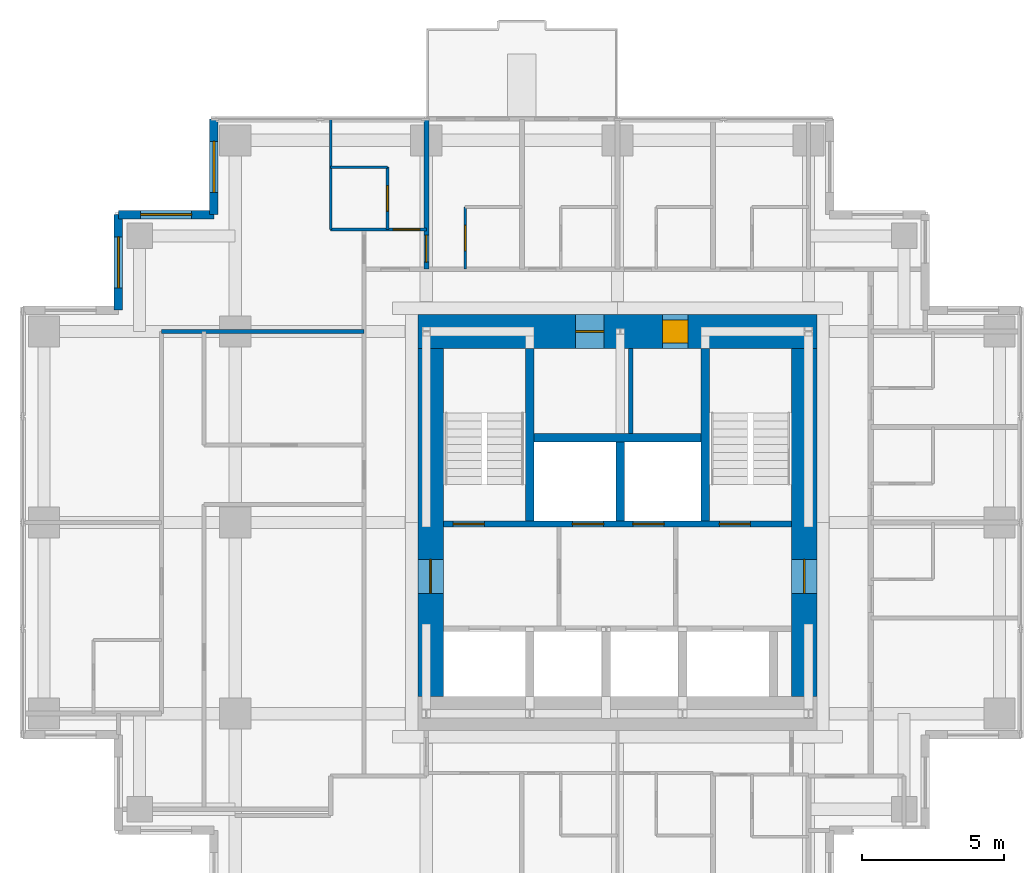
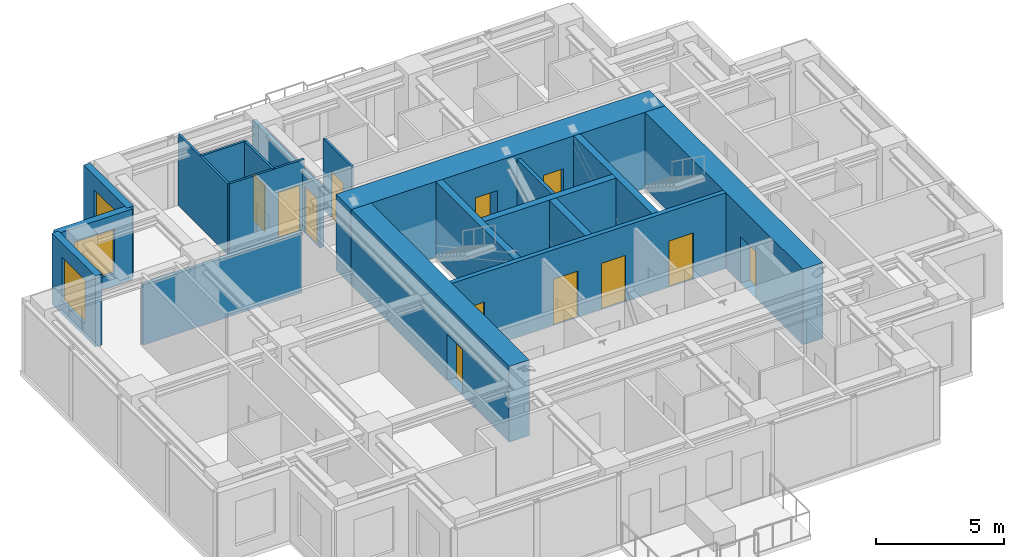
# One storey, part 5 of 8: 19 walls, 12 doors, 3 windows, 15 openings.
"""IFC4 building model written with IfcOpenShell, lengths in metres."""

from ifc_helpers import new_model, si_unit, direction, frame, frame_2d, origin, place, context, subcontext, project, spatial, rectangle, extrude, material, layer, layer_set, type_object, element, fill, save


model = new_model("IFC4")

# Units and contexts
model_context = context("Model", 3, precision=1e-05, world=origin(), true_north=direction((0.0, 1.0)))
body_context = subcontext(model_context, "Body", "Model", "MODEL_VIEW")
ifc_project = project(units=[si_unit("LENGTHUNIT", "METRE"), si_unit("AREAUNIT", "SQUARE_METRE"), si_unit("VOLUMEUNIT", "CUBIC_METRE"), si_unit("PLANEANGLEUNIT", "RADIAN"), si_unit("MASSUNIT", "GRAM", prefix="KILO")], contexts=[model_context])

# Site, building, storey
site_placement = place(None, origin())
site = spatial("IfcSite", under=ifc_project, at=site_placement, CompositionType="ELEMENT")
building_placement = place(site_placement, origin())
building = spatial("IfcBuilding", under=site, at=building_placement, Name="Nyansa Garden Tower", CompositionType="ELEMENT")
storey_placement = place(building_placement, frame((0.0, 0.0, 211.5)))
storey = spatial("IfcBuildingStorey", under=building, at=storey_placement, Name="L57", CompositionType="ELEMENT", Elevation=211.5)

# Wall, opening, door
ifc_material_1 = material(Name="Dense blockwork, plastered both sides, 55 dB", Category="masonry")
ifc_layer_1 = layer(ifc_material_1, 0.175048828125)
ifc_layer_set_1 = layer_set([ifc_layer_1], Name="Acoustic party wall PW175")
wall_type_1 = type_object("IfcWallType", Name="Acoustic party wall PW175", PredefinedType="PARTITIONING", material=ifc_layer_set_1)
wall_1_placement = place(storey_placement, frame((13.5, 29.199951171875, 0.0), z_axis=(0.0, 0.0, 1.0), x_axis=(0.0, 1.0, 0.0)))
wall_1 = element("IfcWall", 1, at=wall_1_placement, inside=storey, type_object=wall_type_1, Name="Party wall", PredefinedType="PARTITIONING", context=body_context, shape_type="SweptSolid", body=[
    extrude(rectangle(XDim=5.283935546875, YDim=0.175048828125, at=frame_2d((2.64208984375, 0.0))), origin(), (0.0, 0.0, 1.0), 2.876953125),
])
opening_1_placement = place(wall_1_placement, frame((0.25, 0.0, 0.0)))
opening_1 = element("IfcOpeningElement", 2, at=opening_1_placement, cuts=wall_1, Name="Opening D14", PredefinedType="OPENING", context=body_context, shape_type="SweptSolid", body=[
    extrude(rectangle(XDim=0.949951171875, YDim=2.199951171875, at=frame_2d((0.47509765625, 1.10009765625))), frame((0.0, 0.097412109375, 0.0), z_axis=(0.0, -1.0, 0.0), x_axis=(1.0, 0.0, 0.0)), (0.0, 0.0, 1.0), 0.195068359375),
])
ifc_material_2 = material(Name="Timber flush door, 60 minute fire resisting, self-closing", Category="wood")
door_type_1 = type_object("IfcDoorType", Name="Studio entrance door D14 950x2200", OperationType="SINGLE_SWING_LEFT", PredefinedType="DOOR", material=ifc_material_2)
door_1_placement = place(opening_1_placement, origin())
door_1 = element("IfcDoor", 3, at=door_1_placement, inside=storey, type_object=door_type_1, Name="Door L57-037", OperationType="SINGLE_SWING_LEFT", OverallHeight=2.199951171875, OverallWidth=0.949951171875, PredefinedType="DOOR", context=body_context, shape_type="SweptSolid", body=[
    extrude(rectangle(XDim=0.949951171875, YDim=2.199951171875, at=frame_2d((0.47509765625, 1.10009765625))), frame((0.0, 0.02490234375, 0.0), z_axis=(0.0, -1.0, 0.0), x_axis=(1.0, 0.0, 0.0)), (0.0, 0.0, 1.0), 0.050048828125),
])
fill(opening_1, door_1)

# Wall, openings, doors
ifc_material_3 = material(Name="Concrete C70/85", Category="concrete")
ifc_layer_2 = layer(ifc_material_3, 0.199951171875)
ifc_layer_set_2 = layer_set([ifc_layer_2], Name="Core inner wall CI200")
wall_type_2 = type_object("IfcWallType", Name="Core inner wall CI200", PredefinedType="SHEAR", material=ifc_layer_set_2)
wall_2_placement = place(storey_placement, frame((14.10009765625, 20.199951171875, 0.0), z_axis=(0.0, 0.0, 1.0), x_axis=(1.0, 0.0, 0.0)))
wall_2 = element("IfcWall", 4, at=wall_2_placement, inside=storey, type_object=wall_type_2, Name="Core inner wall L57", PredefinedType="SHEAR", context=body_context, shape_type="SweptSolid", body=[
    extrude(rectangle(XDim=12.2998046875, YDim=0.199951171875, at=frame_2d((6.14990234375, 0.0))), origin(), (0.0, 0.0, 1.0), 3.60009765625),
])
opening_2_placement = place(wall_2_placement, frame((4.56005859375, 0.0, 0.0)))
opening_2 = element("IfcOpeningElement", 5, at=opening_2_placement, cuts=wall_2, Name="Opening LD-B", PredefinedType="OPENING", context=body_context, shape_type="SweptSolid", body=[
    extrude(rectangle(XDim=1.10009765625, YDim=2.199951171875, at=frame_2d((0.550048828125, 1.10009765625))), frame((0.0, 0.10986328125, 0.0), z_axis=(0.0, -1.0, 0.0), x_axis=(1.0, 0.0, 0.0)), (0.0, 0.0, 1.0), 0.219970703125),
])
opening_3_placement = place(wall_2_placement, frame((6.699951171875, 0.0, 0.0)))
opening_3 = element("IfcOpeningElement", 6, at=opening_3_placement, cuts=wall_2, Name="Opening LD-B", PredefinedType="OPENING", context=body_context, shape_type="SweptSolid", body=[
    extrude(rectangle(XDim=1.10009765625, YDim=2.199951171875, at=frame_2d((0.550048828125, 1.10009765625))), frame((0.0, 0.10986328125, 0.0), z_axis=(0.0, -1.0, 0.0), x_axis=(1.0, 0.0, 0.0)), (0.0, 0.0, 1.0), 0.219970703125),
])
opening_4_placement = place(wall_2_placement, frame((0.35009765625, 0.0, 0.0)))
opening_4 = element("IfcOpeningElement", 7, at=opening_4_placement, cuts=wall_2, Name="Opening D05", PredefinedType="OPENING", context=body_context, shape_type="SweptSolid", body=[
    extrude(rectangle(XDim=1.10009765625, YDim=2.199951171875, at=frame_2d((0.550048828125, 1.10009765625))), frame((0.0, 0.10986328125, 0.0), z_axis=(0.0, -1.0, 0.0), x_axis=(1.0, 0.0, 0.0)), (0.0, 0.0, 1.0), 0.219970703125),
])
opening_5_placement = place(wall_2_placement, frame((9.75, 0.0, 0.0)))
opening_5 = element("IfcOpeningElement", 8, at=opening_5_placement, cuts=wall_2, Name="Opening D05", PredefinedType="OPENING", context=body_context, shape_type="SweptSolid", body=[
    extrude(rectangle(XDim=1.10009765625, YDim=2.199951171875, at=frame_2d((0.550048828125, 1.10009765625))), frame((0.0, 0.10986328125, 0.0), z_axis=(0.0, -1.0, 0.0), x_axis=(1.0, 0.0, 0.0)), (0.0, 0.0, 1.0), 0.219970703125),
])
ifc_material_4 = material(Name="Stainless steel centre-opening landing door of the high-rise lift, E 120", Category="steel")
door_type_2 = type_object("IfcDoorType", Name="Lift landing door LD-B 1100x2200", OperationType="DOUBLE_DOOR_SLIDING", PredefinedType="DOOR", material=ifc_material_4)
door_2_placement = place(opening_2_placement, origin())
door_2 = element("IfcDoor", 9, at=door_2_placement, inside=storey, type_object=door_type_2, Name="Landing door B3", OperationType="DOUBLE_DOOR_SLIDING", OverallHeight=2.199951171875, OverallWidth=1.10009765625, PredefinedType="DOOR", context=body_context, shape_type="SweptSolid", body=[
    extrude(rectangle(XDim=1.10009765625, YDim=2.199951171875, at=frame_2d((0.550048828125, 1.10009765625))), frame((0.0, 0.02490234375, 0.0), z_axis=(0.0, -1.0, 0.0), x_axis=(1.0, 0.0, 0.0)), (0.0, 0.0, 1.0), 0.050048828125),
])
fill(opening_2, door_2)
door_3_placement = place(opening_3_placement, origin())
door_3 = element("IfcDoor", 10, at=door_3_placement, inside=storey, type_object=door_type_2, Name="Landing door B4", OperationType="DOUBLE_DOOR_SLIDING", OverallHeight=2.199951171875, OverallWidth=1.10009765625, PredefinedType="DOOR", context=body_context, shape_type="SweptSolid", body=[
    extrude(rectangle(XDim=1.10009765625, YDim=2.199951171875, at=frame_2d((0.550048828125, 1.10009765625))), frame((0.0, 0.02490234375, 0.0), z_axis=(0.0, -1.0, 0.0), x_axis=(1.0, 0.0, 0.0)), (0.0, 0.0, 1.0), 0.050048828125),
])
fill(opening_3, door_3)
ifc_material_5 = material(Name="Steel door, 120 minute fire resisting", Category="steel")
door_type_3 = type_object("IfcDoorType", Name="Stair door D05 1100x2200", OperationType="SINGLE_SWING_LEFT", PredefinedType="DOOR", material=ifc_material_5)
door_4_placement = place(opening_4_placement, origin())
door_4 = element("IfcDoor", 11, at=door_4_placement, inside=storey, type_object=door_type_3, Name="Stair S1 door", OperationType="SINGLE_SWING_LEFT", OverallHeight=2.199951171875, OverallWidth=1.10009765625, PredefinedType="DOOR", context=body_context, shape_type="SweptSolid", body=[
    extrude(rectangle(XDim=1.10009765625, YDim=2.199951171875, at=frame_2d((0.550048828125, 1.10009765625))), frame((0.0, 0.02490234375, 0.0), z_axis=(0.0, -1.0, 0.0), x_axis=(1.0, 0.0, 0.0)), (0.0, 0.0, 1.0), 0.050048828125),
])
fill(opening_4, door_4)
door_5_placement = place(opening_5_placement, origin())
door_5 = element("IfcDoor", 12, at=door_5_placement, inside=storey, type_object=door_type_3, Name="Stair S2 door", OperationType="SINGLE_SWING_LEFT", OverallHeight=2.199951171875, OverallWidth=1.10009765625, PredefinedType="DOOR", context=body_context, shape_type="SweptSolid", body=[
    extrude(rectangle(XDim=1.10009765625, YDim=2.199951171875, at=frame_2d((0.550048828125, 1.10009765625))), frame((0.0, 0.02490234375, 0.0), z_axis=(0.0, -1.0, 0.0), x_axis=(1.0, 0.0, 0.0)), (0.0, 0.0, 1.0), 0.050048828125),
])
fill(opening_5, door_5)

# Walls
ifc_material_6 = material(Name="Concrete C70/85", Category="concrete")
ifc_layer_3 = layer(ifc_material_6, 0.300048828125)
ifc_layer_set_3 = layer_set([ifc_layer_3], Name="Core inner wall CI300")
wall_type_3 = type_object("IfcWallType", Name="Core inner wall CI300", PredefinedType="SHEAR", material=ifc_layer_set_3)
for number, where, z_axis, x_axis, name in (
    (13, (17.14990234375, 20.300048828125, 0.0), (0.0, 0.0, 1.0), (0.0, 1.0, 0.0), "Core inner wall L57"),
    (14, (23.35009765625, 20.300048828125, 0.0), (0.0, 0.0, 1.0), (0.0, 1.0, 0.0), "Core inner wall L57"),
):
    element("IfcWall", number, at=place(storey_placement, frame(where, z_axis=z_axis, x_axis=x_axis)), inside=storey, type_object=wall_type_3, Name=name, PredefinedType="SHEAR", context=body_context, shape_type="SweptSolid", body=[
        extrude(rectangle(XDim=6.099853515625, YDim=0.300048828125, at=frame_2d((3.0498046875, 0.0))), origin(), (0.0, 0.0, 1.0), 3.60009765625),
    ])
wall_3_placement = place(storey_placement, frame((20.35009765625, 20.300048828125, 0.0), z_axis=(0.0, 0.0, 1.0), x_axis=(0.0, 1.0, 0.0)))
element("IfcWall", 15, at=wall_3_placement, inside=storey, type_object=wall_type_3, Name="Core inner wall L57", PredefinedType="SHEAR", context=body_context, shape_type="SweptSolid", body=[
    extrude(rectangle(XDim=2.800048828125, YDim=0.300048828125, at=frame_2d((1.39990234375, 0.0))), origin(), (0.0, 0.0, 1.0), 3.60009765625),
])
wall_4_placement = place(storey_placement, frame((17.300048828125, 23.25, 0.0), z_axis=(0.0, 0.0, 1.0), x_axis=(1.0, 0.0, 0.0)))
element("IfcWall", 16, at=wall_4_placement, inside=storey, type_object=wall_type_3, Name="Core inner wall L57", PredefinedType="SHEAR", context=body_context, shape_type="SweptSolid", body=[
    extrude(rectangle(XDim=5.89990234375, YDim=0.300048828125, at=frame_2d((2.949951171875, 0.0))), origin(), (0.0, 0.0, 1.0), 3.60009765625),
])

# Wall, openings, doors
ifc_material_7 = material(Name="Concrete C80/95", Category="concrete")
ifc_layer_4 = layer(ifc_material_7, 1.199951171875)
ifc_layer_set_4 = layer_set([ifc_layer_4], Name="Core wall CW1200")
wall_type_4 = type_object("IfcWallType", Name="Core wall CW1200", PredefinedType="SHEAR", material=ifc_layer_set_4)
wall_5_placement = place(storey_placement, frame((27.300048828125, 27.0, 0.0), z_axis=(0.0, 0.0, 1.0), x_axis=(-1.0, 0.0, 0.0)))
wall_5 = element("IfcWall", 17, at=wall_5_placement, inside=storey, type_object=wall_type_4, Name="Core wall N L57", PredefinedType="SHEAR", context=body_context, shape_type="SweptSolid", body=[
    extrude(rectangle(XDim=14.10009765625, YDim=1.199951171875, at=frame_2d((7.050048828125, 0.0))), origin(), (0.0, 0.0, 1.0), 3.60009765625),
])
opening_6_placement = place(wall_5_placement, frame((4.550048828125, 0.0, 0.0)))
opening_6 = element("IfcOpeningElement", 18, at=opening_6_placement, cuts=wall_5, Name="Opening D15", PredefinedType="OPENING", context=body_context, shape_type="SweptSolid", body=[
    extrude(rectangle(XDim=0.89990234375, YDim=2.199951171875, at=frame_2d((0.449951171875, 1.10009765625))), frame((0.0, 0.60986328125, 0.0), z_axis=(0.0, -1.0, 0.0), x_axis=(1.0, 0.0, 0.0)), (0.0, 0.0, 1.0), 1.219970703125),
])
opening_7_placement = place(wall_5_placement, frame((7.52490234375, 0.0, 0.0)))
opening_7 = element("IfcOpeningElement", 19, at=opening_7_placement, cuts=wall_5, Name="Opening D07", PredefinedType="OPENING", context=body_context, shape_type="SweptSolid", body=[
    extrude(rectangle(XDim=1.0, YDim=2.199951171875, at=frame_2d((0.5, 1.10009765625))), frame((0.0, 0.60986328125, 0.0), z_axis=(0.0, -1.0, 0.0), x_axis=(1.0, 0.0, 0.0)), (0.0, 0.0, 1.0), 1.219970703125),
])
ifc_material_8 = material(Name="Timber flush door, 60 minute fire resisting, self-closing", Category="wood")
door_type_4 = type_object("IfcDoorType", Name="Core room door D15 900x2200", OperationType="SINGLE_SWING_LEFT", PredefinedType="DOOR", material=ifc_material_8)
door_6_placement = place(opening_6_placement, origin())
door_6 = element("IfcDoor", 20, at=door_6_placement, inside=storey, type_object=door_type_4, Name="Core room door", OperationType="SINGLE_SWING_LEFT", OverallHeight=2.199951171875, OverallWidth=0.89990234375, PredefinedType="DOOR", context=body_context, shape_type="SweptSolid", body=[
    extrude(rectangle(XDim=0.89990234375, YDim=2.199951171875, at=frame_2d((0.449951171875, 1.10009765625))), frame((0.0, 0.39990234375, 0.0), z_axis=(0.0, -1.0, 0.0), x_axis=(1.0, 0.0, 0.0)), (0.0, 0.0, 1.0), 0.800048828125),
])
fill(opening_6, door_6)
ifc_material_9 = material(Name="Steel door, 120 minute fire resisting", Category="steel")
door_type_5 = type_object("IfcDoorType", Name="Riser door D07 1000x2200", OperationType="SINGLE_SWING_LEFT", PredefinedType="DOOR", material=ifc_material_9)
door_7_placement = place(opening_7_placement, origin())
door_7 = element("IfcDoor", 21, at=door_7_placement, inside=storey, type_object=door_type_5, Name="Riser and refuse room door", OperationType="SINGLE_SWING_LEFT", OverallHeight=2.199951171875, OverallWidth=1.0, PredefinedType="DOOR", context=body_context, shape_type="SweptSolid", body=[
    extrude(rectangle(XDim=1.0, YDim=2.199951171875, at=frame_2d((0.5, 1.10009765625))), frame((0.0, 0.02490234375, 0.0), z_axis=(0.0, -1.0, 0.0), x_axis=(1.0, 0.0, 0.0)), (0.0, 0.0, 1.0), 0.050048828125),
])
fill(opening_7, door_7)

# Wall, opening, door
ifc_material_10 = material(Name="Concrete C80/95", Category="concrete")
ifc_layer_5 = layer(ifc_material_10, 0.89990234375)
ifc_layer_set_5 = layer_set([ifc_layer_5], Name="Core wall CW900")
wall_type_5 = type_object("IfcWallType", Name="Core wall CW900", PredefinedType="SHEAR", material=ifc_layer_set_5)
wall_6_placement = place(storey_placement, frame((26.85009765625, 14.10009765625, 0.0), z_axis=(0.0, 0.0, 1.0), x_axis=(0.0, 1.0, 0.0)))
wall_6 = element("IfcWall", 22, at=wall_6_placement, inside=storey, type_object=wall_type_5, Name="Core wall E L57", PredefinedType="SHEAR", context=body_context, shape_type="SweptSolid", body=[
    extrude(rectangle(XDim=12.2998046875, YDim=0.89990234375, at=frame_2d((6.14990234375, 0.0))), origin(), (0.0, 0.0, 1.0), 3.60009765625),
])
opening_8_placement = place(wall_6_placement, frame((3.64990234375, 0.0, 0.0)))
opening_8 = element("IfcOpeningElement", 23, at=opening_8_placement, cuts=wall_6, Name="Opening D06", PredefinedType="OPENING", context=body_context, shape_type="SweptSolid", body=[
    extrude(rectangle(XDim=1.199951171875, YDim=2.199951171875, at=frame_2d((0.60009765625, 1.10009765625))), frame((0.0, 0.4599609375, 0.0), z_axis=(0.0, -1.0, 0.0), x_axis=(1.0, 0.0, 0.0)), (0.0, 0.0, 1.0), 0.919921875),
])
ifc_material_11 = material(Name="Steel door, 120 minute fire resisting", Category="steel")
door_type_6 = type_object("IfcDoorType", Name="Lobby door D06 1200x2200", OperationType="DOUBLE_DOOR_SINGLE_SWING", PredefinedType="DOOR", material=ifc_material_11)
door_8_placement = place(opening_8_placement, origin())
door_8 = element("IfcDoor", 24, at=door_8_placement, inside=storey, type_object=door_type_6, Name="Lift lobby door east", OperationType="DOUBLE_DOOR_SINGLE_SWING", OverallHeight=2.199951171875, OverallWidth=1.199951171875, PredefinedType="DOOR", context=body_context, shape_type="SweptSolid", body=[
    extrude(rectangle(XDim=1.199951171875, YDim=2.199951171875, at=frame_2d((0.60009765625, 1.10009765625))), frame((0.0, 0.02490234375, 0.0), z_axis=(0.0, -1.0, 0.0), x_axis=(1.0, 0.0, 0.0)), (0.0, 0.0, 1.0), 0.050048828125),
])
fill(opening_8, door_8)

wall_7_placement = place(storey_placement, frame((13.64990234375, 26.39990234375, 0.0), z_axis=(0.0, 0.0, 1.0), x_axis=(0.0, -1.0, 0.0)))
wall_7 = element("IfcWall", 25, at=wall_7_placement, inside=storey, type_object=wall_type_5, Name="Core wall W L57", PredefinedType="SHEAR", context=body_context, shape_type="SweptSolid", body=[
    extrude(rectangle(XDim=12.2998046875, YDim=0.89990234375, at=frame_2d((6.14990234375, 0.0))), origin(), (0.0, 0.0, 1.0), 3.60009765625),
])
opening_9_placement = place(wall_7_placement, frame((7.449951171875, 0.0, 0.0)))
opening_9 = element("IfcOpeningElement", 26, at=opening_9_placement, cuts=wall_7, Name="Opening D06", PredefinedType="OPENING", context=body_context, shape_type="SweptSolid", body=[
    extrude(rectangle(XDim=1.199951171875, YDim=2.199951171875, at=frame_2d((0.60009765625, 1.10009765625))), frame((0.0, 0.4599609375, 0.0), z_axis=(0.0, -1.0, 0.0), x_axis=(1.0, 0.0, 0.0)), (0.0, 0.0, 1.0), 0.919921875),
])
door_9_placement = place(opening_9_placement, origin())
door_9 = element("IfcDoor", 27, at=door_9_placement, inside=storey, type_object=door_type_6, Name="Lift lobby door west", OperationType="DOUBLE_DOOR_SINGLE_SWING", OverallHeight=2.199951171875, OverallWidth=1.199951171875, PredefinedType="DOOR", context=body_context, shape_type="SweptSolid", body=[
    extrude(rectangle(XDim=1.199951171875, YDim=2.199951171875, at=frame_2d((0.60009765625, 1.10009765625))), frame((0.0, 0.02490234375, 0.0), z_axis=(0.0, -1.0, 0.0), x_axis=(1.0, 0.0, 0.0)), (0.0, 0.0, 1.0), 0.050048828125),
])
fill(opening_9, door_9)

# Walls
ifc_material_12 = material(Name="Blockwork, plastered both sides", Category="masonry")
ifc_layer_6 = layer(ifc_material_12, 0.14990234375)
ifc_layer_set_6 = layer_set([ifc_layer_6], Name="Partition PW150")
wall_type_6 = type_object("IfcWallType", Name="Partition PW150", PredefinedType="PARTITIONING", material=ifc_layer_set_6)
wall_8_placement = place(storey_placement, frame((20.72509765625, 23.39990234375, 0.0), z_axis=(0.0, 0.0, 1.0), x_axis=(0.0, 1.0, 0.0)))
element("IfcWall", 28, at=wall_8_placement, inside=storey, type_object=wall_type_6, Name="Partition", PredefinedType="PARTITIONING", context=body_context, shape_type="SweptSolid", body=[
    extrude(rectangle(XDim=3.0, YDim=0.14990234375, at=frame_2d((1.5, 0.0))), origin(), (0.0, 0.0, 1.0), 3.375),
])
wall_9_placement = place(storey_placement, frame((4.14990234375, 27.0, 0.0), z_axis=(0.0, 0.0, 1.0), x_axis=(1.0, 0.0, 0.0)))
element("IfcWall", 29, at=wall_9_placement, inside=storey, type_object=wall_type_6, Name="Partition", PredefinedType="PARTITIONING", context=body_context, shape_type="SweptSolid", body=[
    extrude(rectangle(XDim=7.150146484375, YDim=0.14990234375, at=frame_2d((3.5751953125, 0.0))), origin(), (0.0, 0.0, 1.0), 2.876953125),
])

# Wall, opening, window
ifc_material_13 = material(Name="Turquoise glazed tile on concrete blockwork", Category="masonry")
ifc_layer_7 = layer(ifc_material_13, 0.300048828125)
ifc_layer_set_7 = layer_set([ifc_layer_7], Name="Tiled corner wall TW300")
wall_type_7 = type_object("IfcWallType", Name="Tiled corner wall TW300", PredefinedType="SOLIDWALL", material=ifc_layer_set_7)
wall_10_placement = place(storey_placement, frame((6.0, 34.5, 0.0), z_axis=(0.0, 0.0, 1.0), x_axis=(0.0, -1.0, 0.0)))
wall_10 = element("IfcWall", 30, at=wall_10_placement, inside=storey, type_object=wall_type_7, Name="Tiled corner wall L57", PredefinedType="SOLIDWALL", context=body_context, shape_type="SweptSolid", body=[
    extrude(rectangle(XDim=3.375, YDim=0.300048828125, at=frame_2d((1.6875, 0.0))), origin(), (0.0, 0.0, 1.0), 3.375),
])
opening_10_placement = place(wall_10_placement, frame((0.78759765625, 0.0, 0.60009765625)))
opening_10 = element("IfcOpeningElement", 31, at=opening_10_placement, cuts=wall_10, Name="Opening W2", PredefinedType="OPENING", context=body_context, shape_type="SweptSolid", body=[
    extrude(rectangle(XDim=1.800048828125, YDim=2.10009765625, at=frame_2d((0.89990234375, 1.050048828125))), frame((0.0, 0.159912109375, 0.0), z_axis=(0.0, -1.0, 0.0), x_axis=(1.0, 0.0, 0.0)), (0.0, 0.0, 1.0), 0.320068359375),
])
ifc_material_14 = material(Name="Black aluminium frame, dark tinted double glazing", Category="aluminium")
window_type = type_object("IfcWindowType", Name="Window W2 1800x2100", PartitioningType="SINGLE_PANEL", PredefinedType="WINDOW", material=ifc_material_14)
window_1_placement = place(opening_10_placement, origin())
window_1 = element("IfcWindow", 32, at=window_1_placement, inside=storey, type_object=window_type, Name="Corner window L57", OverallHeight=2.10009765625, OverallWidth=1.800048828125, PartitioningType="SINGLE_PANEL", PredefinedType="WINDOW", context=body_context, shape_type="SweptSolid", body=[
    extrude(rectangle(XDim=1.800048828125, YDim=2.10009765625, at=frame_2d((0.89990234375, 1.050048828125))), frame((0.0, 0.030029296875, 0.0), z_axis=(0.0, -1.0, 0.0), x_axis=(1.0, 0.0, 0.0)), (0.0, 0.0, 1.0), 0.06005859375),
])
fill(opening_10, window_1)

wall_11_placement = place(storey_placement, frame((6.0, 31.125, 0.0), z_axis=(0.0, 0.0, 1.0), x_axis=(-1.0, 0.0, 0.0)))
wall_11 = element("IfcWall", 33, at=wall_11_placement, inside=storey, type_object=wall_type_7, Name="Tiled corner wall L57", PredefinedType="SOLIDWALL", context=body_context, shape_type="SweptSolid", body=[
    extrude(rectangle(XDim=3.375, YDim=0.300048828125, at=frame_2d((1.6875, 0.0))), origin(), (0.0, 0.0, 1.0), 3.375),
])
opening_11_placement = place(wall_11_placement, frame((0.78759765625, 0.0, 0.60009765625)))
opening_11 = element("IfcOpeningElement", 34, at=opening_11_placement, cuts=wall_11, Name="Opening W2", PredefinedType="OPENING", context=body_context, shape_type="SweptSolid", body=[
    extrude(rectangle(XDim=1.800048828125, YDim=2.10009765625, at=frame_2d((0.89990234375, 1.050048828125))), frame((0.0, 0.159912109375, 0.0), z_axis=(0.0, -1.0, 0.0), x_axis=(1.0, 0.0, 0.0)), (0.0, 0.0, 1.0), 0.320068359375),
])
window_2_placement = place(opening_11_placement, origin())
window_2 = element("IfcWindow", 35, at=window_2_placement, inside=storey, type_object=window_type, Name="Corner window L57", OverallHeight=2.10009765625, OverallWidth=1.800048828125, PartitioningType="SINGLE_PANEL", PredefinedType="WINDOW", context=body_context, shape_type="SweptSolid", body=[
    extrude(rectangle(XDim=1.800048828125, YDim=2.10009765625, at=frame_2d((0.89990234375, 1.050048828125))), frame((0.0, 0.030029296875, 0.0), z_axis=(0.0, -1.0, 0.0), x_axis=(1.0, 0.0, 0.0)), (0.0, 0.0, 1.0), 0.06005859375),
])
fill(opening_11, window_2)

wall_12_placement = place(storey_placement, frame((2.625, 31.125, 0.0), z_axis=(0.0, 0.0, 1.0), x_axis=(0.0, -1.0, 0.0)))
wall_12 = element("IfcWall", 36, at=wall_12_placement, inside=storey, type_object=wall_type_7, Name="Tiled corner wall L57", PredefinedType="SOLIDWALL", context=body_context, shape_type="SweptSolid", body=[
    extrude(rectangle(XDim=3.375, YDim=0.300048828125, at=frame_2d((1.6875, 0.0))), origin(), (0.0, 0.0, 1.0), 3.375),
])
opening_12_placement = place(wall_12_placement, frame((0.78759765625, 0.0, 0.60009765625)))
opening_12 = element("IfcOpeningElement", 37, at=opening_12_placement, cuts=wall_12, Name="Opening W2", PredefinedType="OPENING", context=body_context, shape_type="SweptSolid", body=[
    extrude(rectangle(XDim=1.800048828125, YDim=2.10009765625, at=frame_2d((0.89990234375, 1.050048828125))), frame((0.0, 0.159912109375, 0.0), z_axis=(0.0, -1.0, 0.0), x_axis=(1.0, 0.0, 0.0)), (0.0, 0.0, 1.0), 0.320068359375),
])
window_3_placement = place(opening_12_placement, origin())
window_3 = element("IfcWindow", 38, at=window_3_placement, inside=storey, type_object=window_type, Name="Corner window L57", OverallHeight=2.10009765625, OverallWidth=1.800048828125, PartitioningType="SINGLE_PANEL", PredefinedType="WINDOW", context=body_context, shape_type="SweptSolid", body=[
    extrude(rectangle(XDim=1.800048828125, YDim=2.10009765625, at=frame_2d((0.89990234375, 1.050048828125))), frame((0.0, 0.030029296875, 0.0), z_axis=(0.0, -1.0, 0.0), x_axis=(1.0, 0.0, 0.0)), (0.0, 0.0, 1.0), 0.06005859375),
])
fill(opening_12, window_3)

# Wall
ifc_material_15 = material(Name="Moisture resistant board on steel studs, tiled", Category="steel")
ifc_layer_8 = layer(ifc_material_15, 0.10009765625)
ifc_layer_set_8 = layer_set([ifc_layer_8], Name="Wet wall PW100")
wall_type_8 = type_object("IfcWallType", Name="Wet wall PW100", PredefinedType="PARTITIONING", material=ifc_layer_set_8)
wall_13_placement = place(storey_placement, frame((10.125, 30.60009765625, 0.0), z_axis=(0.0, 0.0, 1.0), x_axis=(0.0, 1.0, 0.0)))
element("IfcWall", 39, at=wall_13_placement, inside=storey, type_object=wall_type_8, Name="Wet wall", PredefinedType="PARTITIONING", context=body_context, shape_type="SweptSolid", body=[
    extrude(rectangle(XDim=3.8837890625, YDim=0.10009765625, at=frame_2d((1.94189453125, 0.0))), origin(), (0.0, 0.0, 1.0), 3.375),
])

# Wall, opening, door
wall_14_placement = place(storey_placement, frame((10.125, 30.60009765625, 0.0), z_axis=(0.0, 0.0, 1.0), x_axis=(1.0, 0.0, 0.0)))
wall_14 = element("IfcWall", 40, at=wall_14_placement, inside=storey, type_object=wall_type_8, Name="Wet wall", PredefinedType="PARTITIONING", context=body_context, shape_type="SweptSolid", body=[
    extrude(rectangle(XDim=3.375, YDim=0.10009765625, at=frame_2d((1.6875, 0.0))), origin(), (0.0, 0.0, 1.0), 3.375),
])
opening_13_placement = place(wall_14_placement, frame((2.199951171875, 0.0, 0.0)))
opening_13 = element("IfcOpeningElement", 41, at=opening_13_placement, cuts=wall_14, Name="Opening D14", PredefinedType="OPENING", context=body_context, shape_type="SweptSolid", body=[
    extrude(rectangle(XDim=0.949951171875, YDim=2.199951171875, at=frame_2d((0.47509765625, 1.10009765625))), frame((0.0, 0.06005859375, 0.0), z_axis=(0.0, -1.0, 0.0), x_axis=(1.0, 0.0, 0.0)), (0.0, 0.0, 1.0), 0.1201171875),
])
door_10_placement = place(opening_13_placement, origin())
door_10 = element("IfcDoor", 42, at=door_10_placement, inside=storey, type_object=door_type_1, Name="Door L57-035", OperationType="SINGLE_SWING_LEFT", OverallHeight=2.199951171875, OverallWidth=0.949951171875, PredefinedType="DOOR", context=body_context, shape_type="SweptSolid", body=[
    extrude(rectangle(XDim=0.949951171875, YDim=2.199951171875, at=frame_2d((0.47509765625, 1.10009765625))), frame((0.0, 0.02490234375, 0.0), z_axis=(0.0, -1.0, 0.0), x_axis=(1.0, 0.0, 0.0)), (0.0, 0.0, 1.0), 0.050048828125),
])
fill(opening_13, door_10)

# Wall
wall_15_placement = place(storey_placement, frame((10.125, 32.800048828125, 0.0), z_axis=(0.0, 0.0, 1.0), x_axis=(1.0, 0.0, 0.0)))
element("IfcWall", 43, at=wall_15_placement, inside=storey, type_object=wall_type_8, Name="Wet wall", PredefinedType="PARTITIONING", context=body_context, shape_type="SweptSolid", body=[
    extrude(rectangle(XDim=2.0, YDim=0.10009765625, at=frame_2d((1.0, 0.0))), origin(), (0.0, 0.0, 1.0), 3.375),
])

# Wall, opening, door
wall_16_placement = place(storey_placement, frame((12.125, 30.60009765625, 0.0), z_axis=(0.0, 0.0, 1.0), x_axis=(0.0, 1.0, 0.0)))
wall_16 = element("IfcWall", 44, at=wall_16_placement, inside=storey, type_object=wall_type_8, Name="Wet wall", PredefinedType="PARTITIONING", context=body_context, shape_type="SweptSolid", body=[
    extrude(rectangle(XDim=2.199951171875, YDim=0.10009765625, at=frame_2d((1.10009765625, 0.0))), origin(), (0.0, 0.0, 1.0), 3.375),
])
opening_14_placement = place(wall_16_placement, frame((0.64990234375, 0.0, 0.0)))
opening_14 = element("IfcOpeningElement", 45, at=opening_14_placement, cuts=wall_16, Name="Opening D02", PredefinedType="OPENING", context=body_context, shape_type="SweptSolid", body=[
    extrude(rectangle(XDim=0.89990234375, YDim=2.199951171875, at=frame_2d((0.449951171875, 1.10009765625))), frame((0.0, 0.06005859375, 0.0), z_axis=(0.0, -1.0, 0.0), x_axis=(1.0, 0.0, 0.0)), (0.0, 0.0, 1.0), 0.1201171875),
])
ifc_material_16 = material(Name="Timber flush door", Category="wood")
door_type_7 = type_object("IfcDoorType", Name="En-suite door D02 900x2200", OperationType="SINGLE_SWING_RIGHT", PredefinedType="DOOR", material=ifc_material_16)
door_11_placement = place(opening_14_placement, origin())
door_11 = element("IfcDoor", 46, at=door_11_placement, inside=storey, type_object=door_type_7, Name="Door L57-036", OperationType="SINGLE_SWING_RIGHT", OverallHeight=2.199951171875, OverallWidth=0.89990234375, PredefinedType="DOOR", context=body_context, shape_type="SweptSolid", body=[
    extrude(rectangle(XDim=0.89990234375, YDim=2.199951171875, at=frame_2d((0.449951171875, 1.10009765625))), frame((0.0, 0.02490234375, 0.0), z_axis=(0.0, -1.0, 0.0), x_axis=(1.0, 0.0, 0.0)), (0.0, 0.0, 1.0), 0.050048828125),
])
fill(opening_14, door_11)

wall_17_placement = place(storey_placement, frame((14.875, 29.199951171875, 0.0), z_axis=(0.0, 0.0, 1.0), x_axis=(0.0, 1.0, 0.0)))
wall_17 = element("IfcWall", 47, at=wall_17_placement, inside=storey, type_object=wall_type_8, Name="Wet wall", PredefinedType="PARTITIONING", context=body_context, shape_type="SweptSolid", body=[
    extrude(rectangle(XDim=2.199951171875, YDim=0.10009765625, at=frame_2d((1.10009765625, 0.0))), origin(), (0.0, 0.0, 1.0), 3.375),
])
opening_15_placement = place(wall_17_placement, frame((0.64990234375, 0.0, 0.0)))
opening_15 = element("IfcOpeningElement", 48, at=opening_15_placement, cuts=wall_17, Name="Opening D02", PredefinedType="OPENING", context=body_context, shape_type="SweptSolid", body=[
    extrude(rectangle(XDim=0.89990234375, YDim=2.199951171875, at=frame_2d((0.449951171875, 1.10009765625))), frame((0.0, 0.06005859375, 0.0), z_axis=(0.0, -1.0, 0.0), x_axis=(1.0, 0.0, 0.0)), (0.0, 0.0, 1.0), 0.1201171875),
])
door_12_placement = place(opening_15_placement, origin())
door_12 = element("IfcDoor", 49, at=door_12_placement, inside=storey, type_object=door_type_7, Name="Door L57-038", OperationType="SINGLE_SWING_RIGHT", OverallHeight=2.199951171875, OverallWidth=0.89990234375, PredefinedType="DOOR", context=body_context, shape_type="SweptSolid", body=[
    extrude(rectangle(XDim=0.89990234375, YDim=2.199951171875, at=frame_2d((0.449951171875, 1.10009765625))), frame((0.0, 0.02490234375, 0.0), z_axis=(0.0, -1.0, 0.0), x_axis=(1.0, 0.0, 0.0)), (0.0, 0.0, 1.0), 0.050048828125),
])
fill(opening_15, door_12)

save(model, "model.ifc")
